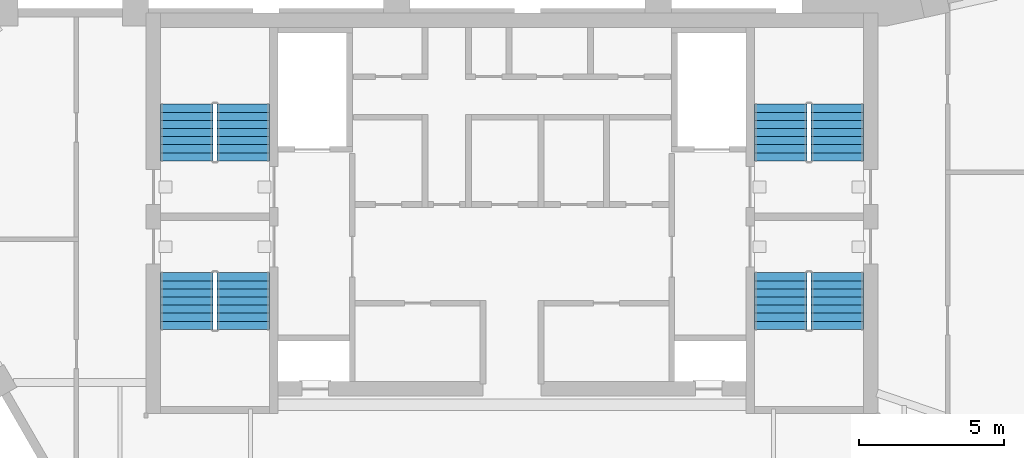
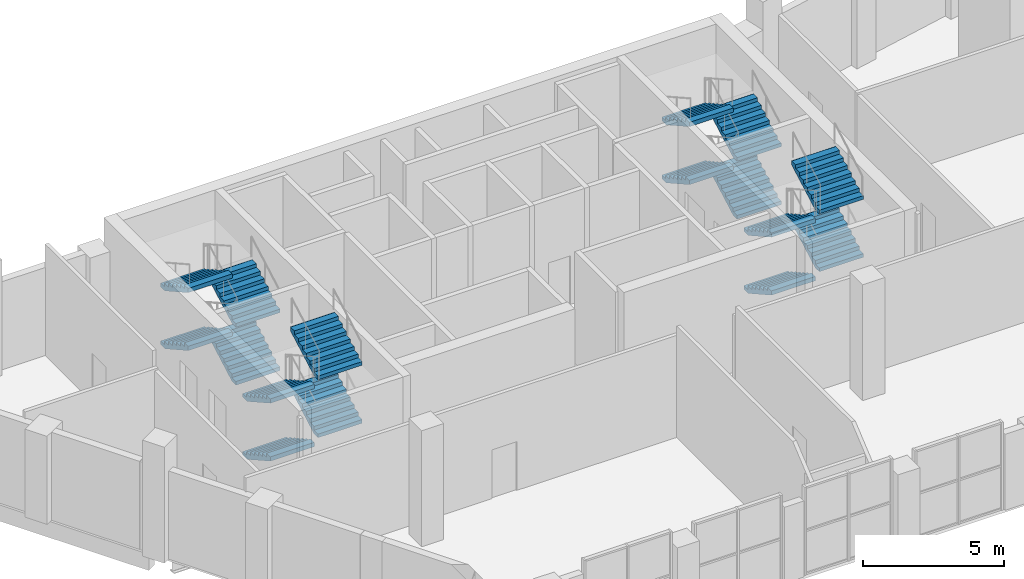
# One storey, part 7 of 9: 16 stair flights, 4 elements without a shape of their own.
"""IFC4 building model written with IfcOpenShell, lengths in metres."""

import ifcopenshell
import ifcopenshell.guid

model = None  # the IFC model being written
_history = None  # IfcOwnerHistory: only IFC2X3 demands one
_inside = {}  # id of a spatial element -> (the spatial element, [elements in it])
_under = {}  # id of a project, library or spatial element -> (it, [spatial elements below it])
_declared = {}  # id of a project -> (the project, [libraries it declares])
_typed = {}  # id of a type object -> (the type object, [elements of that type])
_made_of = {}  # id of a material, layer set ... -> (it, [elements and type objects made of it])


def new_model(schema):
    """Start an empty IFC model of exactly this schema.

    Asked for "IFC4X3", IfcOpenShell would pick the latest addendum, in which some entities
    have other attributes; the version numbers below select the first issue.
    IFC2X3 requires an IfcOwnerHistory on every rooted entity: one is made here for all.
    """
    global model, _history
    if schema == "IFC4X3":
        model = ifcopenshell.file(schema_version=(4, 3, 0, 0))
    else:
        model = ifcopenshell.file(schema=schema)
    _inside.clear()
    _under.clear()
    _declared.clear()
    _typed.clear()
    _made_of.clear()
    _history = None
    if model.schema == "IFC2X3":
        org = make("IfcOrganization", Name="unknown")
        user = make(
            "IfcPersonAndOrganization",
            ThePerson=make("IfcPerson", FamilyName="unknown"),
            TheOrganization=org,
        )
        app = make(
            "IfcApplication",
            ApplicationDeveloper=org,
            Version="unknown",
            ApplicationFullName="unknown",
            ApplicationIdentifier="unknown",
        )
        _history = make(
            "IfcOwnerHistory",
            OwningUser=user,
            OwningApplication=app,
            ChangeAction="ADDED",
            CreationDate=0,
        )
    return model


def make(cls, **values):
    """One entity of the class cls with the attributes given. An attribute that is None is left unset."""
    return model.create_entity(
        cls, **{name: value for name, value in values.items() if value is not None}
    )


def rooted(cls, **values):
    """An entity with a GlobalId (a new one), such as an element, a storey or a relation."""
    return make(cls, GlobalId=ifcopenshell.guid.new(), OwnerHistory=_history, **values)


def si_unit(unit_type, name, prefix=None):
    """IfcSIUnit, for example si_unit("LENGTHUNIT", "METRE", prefix="MILLI")."""
    return make("IfcSIUnit", UnitType=unit_type, Prefix=prefix, Name=name)


def assignment(units):
    """IfcUnitAssignment: the units of a project."""
    return None if units is None else make("IfcUnitAssignment", Units=units)


def point(xyz):
    """IfcCartesianPoint."""
    return None if xyz is None else make("IfcCartesianPoint", Coordinates=xyz)


def direction(xyz):
    """IfcDirection."""
    return None if xyz is None else make("IfcDirection", DirectionRatios=xyz)


def frame(location, z_axis=None, x_axis=None):
    """IfcAxis2Placement3D, a coordinate frame: its origin and axes. An axis left out is left unset."""
    return make(
        "IfcAxis2Placement3D",
        Location=point(location),
        Axis=direction(z_axis),
        RefDirection=direction(x_axis),
    )


def origin():
    """The frame at (0, 0, 0) with its axes left unset."""
    return frame((0.0, 0.0, 0.0))


def place(relative_to, where):
    """IfcLocalPlacement: puts the frame where relative to a parent placement (None: the world)."""
    return make(
        "IfcLocalPlacement", PlacementRelTo=relative_to, RelativePlacement=where
    )


def context(
    kind, dimensions, precision=None, world=None, true_north=None, identifier=None
):
    """IfcGeometricRepresentationContext, for example the 3D "Model" context."""
    return make(
        "IfcGeometricRepresentationContext",
        ContextIdentifier=identifier,
        ContextType=kind,
        CoordinateSpaceDimension=dimensions,
        Precision=precision,
        WorldCoordinateSystem=world,
        TrueNorth=true_north,
    )


def subcontext(parent, identifier, kind, view, scale=None):
    """IfcGeometricRepresentationSubContext, for example "Body" below "Model"."""
    return make(
        "IfcGeometricRepresentationSubContext",
        ContextIdentifier=identifier,
        ContextType=kind,
        ParentContext=parent,
        TargetScale=scale,
        TargetView=view,
    )


def project(units=None, contexts=None):
    """IfcProject with its units and contexts."""
    return rooted(
        "IfcProject",
        Name="project",
        RepresentationContexts=contexts,
        UnitsInContext=assignment(units),
    )


def spatial(cls, under=None, at=None, **own):
    """A site, building, storey or space (cls), placed at a placement, below another one or the project."""
    s = rooted(cls, ObjectPlacement=at, **own)
    if under is not None:
        _under.setdefault(under.id(), (under, []))[1].append(s)
    return s


def faces_of(points, faces, orient=None, outer=None):
    """IfcFace entities. A face is a list of loops; a loop is a list of indices into points, from 0.

    orient and outer hold one flag for each loop. By default every Orientation is true, the
    first loop of a face is its IfcFaceOuterBound and the others are IfcFaceBound.
    """
    made = []
    for i, loops in enumerate(faces):
        bounds = []
        for j, loop in enumerate(loops):
            is_outer = j == 0 if outer is None else outer[i][j]
            bounds.append(
                make(
                    "IfcFaceOuterBound" if is_outer else "IfcFaceBound",
                    Bound=make("IfcPolyLoop", Polygon=[points[k] for k in loop]),
                    Orientation=True if orient is None else orient[i][j],
                )
            )
        made.append(make("IfcFace", Bounds=bounds))
    return made


def faceted_brep(points, faces, orient=None, outer=None, voids=None):
    """IfcFacetedBrep: a solid bounded by flat faces; with voids (closed shells), ...WithVoids."""
    shared = [point(p) for p in points]
    hull = make("IfcClosedShell", CfsFaces=faces_of(shared, faces, orient, outer))
    if voids is None:
        return make("IfcFacetedBrep", Outer=hull)
    return make(
        "IfcFacetedBrepWithVoids",
        Outer=hull,
        Voids=[
            make(cls, CfsFaces=faces_of(shared, fs, o, b)) for cls, fs, o, b in voids
        ],
    )


def shape(context_of_items, identifier, shape_type, items):
    """IfcShapeRepresentation: the items that make up one representation, for example the "Body"."""
    return make(
        "IfcShapeRepresentation",
        ContextOfItems=context_of_items,
        RepresentationIdentifier=identifier,
        RepresentationType=shape_type,
        Items=items,
    )


def source(mapping_origin, context_of_items, identifier, shape_type, items):
    """IfcRepresentationMap: a shape defined once, which mapped items show again and again."""
    return make(
        "IfcRepresentationMap",
        MappingOrigin=mapping_origin,
        MappedRepresentation=shape(context_of_items, identifier, shape_type, items),
    )


def transform(
    local_origin,
    x_axis=None,
    y_axis=None,
    z_axis=None,
    scale=None,
    scale2=None,
    scale3=None,
    uniform=True,
):
    """IfcCartesianTransformationOperator3D, or its non-uniform kind. x_axis, y_axis, z_axis: its Axis1, 2, 3."""
    if uniform:
        return make(
            "IfcCartesianTransformationOperator3D",
            Axis1=direction(x_axis),
            Axis2=direction(y_axis),
            LocalOrigin=point(local_origin),
            Scale=scale,
            Axis3=direction(z_axis),
        )
    return make(
        "IfcCartesianTransformationOperator3DnonUniform",
        Axis1=direction(x_axis),
        Axis2=direction(y_axis),
        LocalOrigin=point(local_origin),
        Scale=scale,
        Axis3=direction(z_axis),
        Scale2=scale2,
        Scale3=scale3,
    )


def mapped(mapping_source, mapping_target):
    """IfcMappedItem: shows the shape of a source again, moved by a transform."""
    return make(
        "IfcMappedItem", MappingSource=mapping_source, MappingTarget=mapping_target
    )


def material(Name=None, Category=None):
    """IfcMaterial."""
    return make("IfcMaterial", Name=Name, Category=Category)


def made_of(thing, what):
    """Note that an element or type object is made of a material, layer set ...; save() writes the relation."""
    if what is not None:
        _made_of.setdefault(what.id(), (what, []))[1].append(thing)
    return thing


def type_object(cls, material=None, **own):
    """A type object (cls), such as IfcWallType, which elements share."""
    return made_of(rooted(cls, **own), material)


def element(
    cls,
    number,
    at=None,
    inside=None,
    cuts=None,
    type_object=None,
    material=None,
    context=None,
    identifier="Body",
    shape_type=None,
    held_by="IfcProductDefinitionShape",
    body=None,
    shapes=None,
    **own,
):
    """One element of the class cls, such as IfcWall. Its Tag is "e" and its number.

    at: its placement. inside: the storey or other place that contains it. cuts: it is an
    opening in that element (IfcRelVoidsElement). A single representation is given by context,
    identifier, shape_type and body (its items); several are given by shapes. held_by: the class
    of the entity that holds the representations. save() writes the other relations.
    """
    e = rooted(cls, Tag="e%d" % number, ObjectPlacement=at, **own)
    if body is not None:
        shapes = [shape(context, identifier, shape_type, body)]
    if shapes is not None:
        e.Representation = make(held_by, Representations=shapes)
    if inside is not None:
        _inside.setdefault(inside.id(), (inside, []))[1].append(e)
    if cuts is not None:
        rooted(
            "IfcRelVoidsElement", RelatingBuildingElement=cuts, RelatedOpeningElement=e
        )
    if type_object is not None:
        _typed.setdefault(type_object.id(), (type_object, []))[1].append(e)
    return made_of(e, material)


def aggregate(whole, parts):
    """IfcRelAggregates: a whole, such as a stair, and the parts it consists of."""
    return rooted("IfcRelAggregates", RelatingObject=whole, RelatedObjects=parts)


def save(model, path):
    """Write the relations noted so far, then the file.

    IfcRelAggregates (storeys below a building ...), IfcRelContainedInSpatialStructure (elements
    in a storey), IfcRelDefinesByType, IfcRelAssociatesMaterial and IfcRelDeclares: one each for
    every whole, place, type object, material and project.
    """
    for whole, parts in _under.values():
        aggregate(whole, parts)
    for where, things in _inside.values():
        rooted(
            "IfcRelContainedInSpatialStructure",
            RelatedElements=things,
            RelatingStructure=where,
        )
    for kind, things in _typed.values():
        rooted("IfcRelDefinesByType", RelatedObjects=things, RelatingType=kind)
    for what, things in _made_of.values():
        rooted("IfcRelAssociatesMaterial", RelatedObjects=things, RelatingMaterial=what)
    for by, libraries in _declared.values():
        rooted("IfcRelDeclares", RelatingContext=by, RelatedDefinitions=libraries)
    model.write(path)


model = new_model("IFC4")

# Units and contexts
model_context = context("Model", 3, precision=1e-05, world=origin(), true_north=direction((0.0, 1.0)))
body_context = subcontext(model_context, "Body", "Model", "MODEL_VIEW")
ifc_project = project(units=[si_unit("LENGTHUNIT", "METRE"), si_unit("AREAUNIT", "SQUARE_METRE"), si_unit("VOLUMEUNIT", "CUBIC_METRE"), si_unit("PLANEANGLEUNIT", "RADIAN"), si_unit("MASSUNIT", "GRAM", prefix="KILO")], contexts=[model_context])

# Site, building, storey
site_placement = place(None, origin())
site = spatial("IfcSite", under=ifc_project, at=site_placement, CompositionType="ELEMENT")
building_placement = place(site_placement, origin())
building = spatial("IfcBuilding", under=site, at=building_placement, Name="Calabash Gate Tower", CompositionType="ELEMENT")
storey_placement = place(building_placement, frame((0.0, 0.0, 325.5)))
storey = spatial("IfcBuildingStorey", under=building, at=storey_placement, Name="L76", CompositionType="ELEMENT", Elevation=325.5)

# Stair, stair flights
ifc_material_1 = material(Name="Concrete C40/50", Category="concrete")
stair_type = type_object("IfcStairType", Name="Exit stair 32 risers of 156.2 mm", PredefinedType="HALF_TURN_STAIR", material=ifc_material_1)
stair_1_placement = place(storey_placement, origin())
stair_1 = element("IfcStair", 1, at=stair_1_placement, inside=storey, type_object=stair_type, Name="L76 Exit stair ST1", PredefinedType="HALF_TURN_STAIR")
ifc_material_2 = material(Name="Concrete C40/50", Category="concrete")
stair_flight_type = type_object("IfcStairFlightType", Name="Exit stair flight SFL", PredefinedType="STRAIGHT", material=ifc_material_2)
shared_shape = source(origin(), body_context, "Body", "Brep", [
    faceted_brep([(-0.0009765625, -0.89990234375, 0.0), (0.306884765625, -0.89990234375, 0.0), (1.9541015625, -0.89990234375, 0.921875), (-0.0009765625, 0.89990234375, 0.0), (1.9541015625, 0.89990234375, 0.921875), (0.306884765625, 0.89990234375, 0.0), (1.9541015625, -0.89990234375, 1.105712890625), (1.952880859375, -0.89990234375, 1.105712890625), (1.952880859375, 0.89990234375, 1.105712890625), (1.9541015625, 0.89990234375, 1.105712890625), (1.952880859375, -0.89990234375, 1.09375), (1.952880859375, 0.89990234375, 1.09375), (1.674072265625, -0.89990234375, 1.09375), (1.674072265625, 0.89990234375, 1.09375), (1.674072265625, -0.89990234375, 0.9375), (1.674072265625, 0.89990234375, 0.9375), (1.39501953125, -0.89990234375, 0.9375), (1.39501953125, 0.89990234375, 0.9375), (1.39501953125, -0.89990234375, 0.78125), (1.39501953125, 0.89990234375, 0.78125), (1.115966796875, -0.89990234375, 0.78125), (1.115966796875, -0.89990234375, 0.625), (1.115966796875, 0.89990234375, 0.625), (1.115966796875, 0.89990234375, 0.78125), (0.8369140625, -0.89990234375, 0.625), (0.8369140625, -0.89990234375, 0.46875), (0.8369140625, 0.89990234375, 0.46875), (0.8369140625, 0.89990234375, 0.625), (0.55810546875, -0.89990234375, 0.46875), (0.55810546875, -0.89990234375, 0.3125), (0.55810546875, 0.89990234375, 0.3125), (0.55810546875, 0.89990234375, 0.46875), (0.279052734375, -0.89990234375, 0.3125), (0.279052734375, -0.89990234375, 0.15625), (0.279052734375, 0.89990234375, 0.15625), (0.279052734375, 0.89990234375, 0.3125), (-0.0009765625, -0.89990234375, 0.15625), (-0.0009765625, 0.89990234375, 0.15625), (0.306884765625, -0.360107421875, 0.0), (1.9541015625, -0.360107421875, 0.921875), (0.306884765625, -0.27001953125, 0.0), (1.9541015625, -0.27001953125, 0.921875), (0.306884765625, -0.179931640625, 0.0), (1.9541015625, -0.179931640625, 0.921875), (0.306884765625, -0.090087890625, 0.0), (1.9541015625, -0.090087890625, 0.921875), (0.306884765625, 0.0, 0.0), (1.9541015625, 0.0, 0.921875), (0.306884765625, 0.090087890625, 0.0), (1.9541015625, 0.090087890625, 0.921875), (0.306884765625, 0.179931640625, 0.0), (1.9541015625, 0.179931640625, 0.921875), (0.306884765625, 0.27001953125, 0.0), (1.9541015625, 0.27001953125, 0.921875), (0.306884765625, 0.360107421875, 0.0), (1.9541015625, 0.360107421875, 0.921875), (1.9541015625, -0.360107421875, 1.105712890625), (1.9541015625, -0.27001953125, 1.105712890625), (1.9541015625, -0.179931640625, 1.105712890625), (1.9541015625, -0.090087890625, 1.105712890625), (1.9541015625, 0.0, 1.105712890625), (1.9541015625, 0.090087890625, 1.105712890625), (1.9541015625, 0.179931640625, 1.105712890625), (1.9541015625, 0.27001953125, 1.105712890625), (1.9541015625, 0.360107421875, 1.105712890625), (1.952880859375, -0.360107421875, 1.105712890625), (1.952880859375, -0.27001953125, 1.105712890625), (1.952880859375, -0.179931640625, 1.105712890625), (1.952880859375, -0.090087890625, 1.105712890625), (1.952880859375, 0.0, 1.105712890625), (1.952880859375, 0.090087890625, 1.105712890625), (1.952880859375, 0.179931640625, 1.105712890625), (1.952880859375, 0.27001953125, 1.105712890625), (1.952880859375, 0.360107421875, 1.105712890625), (1.952880859375, -0.360107421875, 1.09375), (1.952880859375, -0.27001953125, 1.09375), (1.952880859375, -0.179931640625, 1.09375), (1.952880859375, -0.090087890625, 1.09375), (1.952880859375, 0.0, 1.09375), (1.952880859375, 0.090087890625, 1.09375), (1.952880859375, 0.179931640625, 1.09375), (1.952880859375, 0.27001953125, 1.09375), (1.952880859375, 0.360107421875, 1.09375), (1.674072265625, -0.360107421875, 1.09375), (1.674072265625, -0.27001953125, 1.09375), (1.674072265625, -0.179931640625, 1.09375), (1.674072265625, -0.090087890625, 1.09375), (1.674072265625, 0.0, 1.09375), (1.674072265625, 0.090087890625, 1.09375), (1.674072265625, 0.179931640625, 1.09375), (1.674072265625, 0.27001953125, 1.09375), (1.674072265625, 0.360107421875, 1.09375), (1.674072265625, -0.360107421875, 0.9375), (1.674072265625, -0.27001953125, 0.9375), (1.674072265625, -0.179931640625, 0.9375), (1.674072265625, -0.090087890625, 0.9375), (1.674072265625, 0.0, 0.9375), (1.674072265625, 0.090087890625, 0.9375), (1.674072265625, 0.179931640625, 0.9375), (1.674072265625, 0.27001953125, 0.9375), (1.674072265625, 0.360107421875, 0.9375), (1.39501953125, -0.360107421875, 0.9375), (1.39501953125, -0.27001953125, 0.9375), (1.39501953125, -0.179931640625, 0.9375), (1.39501953125, -0.090087890625, 0.9375), (1.39501953125, 0.0, 0.9375), (1.39501953125, 0.090087890625, 0.9375), (1.39501953125, 0.179931640625, 0.9375), (1.39501953125, 0.27001953125, 0.9375), (1.39501953125, 0.360107421875, 0.9375), (1.39501953125, -0.360107421875, 0.78125), (1.39501953125, -0.27001953125, 0.78125), (1.39501953125, -0.179931640625, 0.78125), (1.39501953125, -0.090087890625, 0.78125), (1.39501953125, 0.0, 0.78125), (1.39501953125, 0.090087890625, 0.78125), (1.39501953125, 0.179931640625, 0.78125), (1.39501953125, 0.27001953125, 0.78125), (1.39501953125, 0.360107421875, 0.78125), (1.115966796875, -0.360107421875, 0.78125), (1.115966796875, -0.27001953125, 0.78125), (1.115966796875, -0.179931640625, 0.78125), (1.115966796875, -0.090087890625, 0.78125), (1.115966796875, 0.0, 0.78125), (1.115966796875, 0.090087890625, 0.78125), (1.115966796875, 0.179931640625, 0.78125), (1.115966796875, 0.27001953125, 0.78125), (1.115966796875, 0.360107421875, 0.78125), (1.115966796875, -0.360107421875, 0.625), (1.115966796875, -0.27001953125, 0.625), (1.115966796875, -0.179931640625, 0.625), (1.115966796875, -0.090087890625, 0.625), (1.115966796875, 0.0, 0.625), (1.115966796875, 0.090087890625, 0.625), (1.115966796875, 0.179931640625, 0.625), (1.115966796875, 0.27001953125, 0.625), (1.115966796875, 0.360107421875, 0.625), (0.8369140625, -0.360107421875, 0.625), (0.8369140625, -0.27001953125, 0.625), (0.8369140625, -0.179931640625, 0.625), (0.8369140625, -0.090087890625, 0.625), (0.8369140625, 0.0, 0.625), (0.8369140625, 0.090087890625, 0.625), (0.8369140625, 0.179931640625, 0.625), (0.8369140625, 0.27001953125, 0.625), (0.8369140625, 0.360107421875, 0.625), (0.8369140625, -0.360107421875, 0.46875), (0.8369140625, -0.27001953125, 0.46875), (0.8369140625, -0.179931640625, 0.46875), (0.8369140625, -0.090087890625, 0.46875), (0.8369140625, 0.0, 0.46875), (0.8369140625, 0.090087890625, 0.46875), (0.8369140625, 0.179931640625, 0.46875), (0.8369140625, 0.27001953125, 0.46875), (0.8369140625, 0.360107421875, 0.46875), (0.55810546875, -0.360107421875, 0.46875), (0.55810546875, -0.27001953125, 0.46875), (0.55810546875, -0.179931640625, 0.46875), (0.55810546875, -0.090087890625, 0.46875), (0.55810546875, 0.0, 0.46875), (0.55810546875, 0.090087890625, 0.46875), (0.55810546875, 0.179931640625, 0.46875), (0.55810546875, 0.27001953125, 0.46875), (0.55810546875, 0.360107421875, 0.46875), (0.55810546875, -0.360107421875, 0.3125), (0.55810546875, -0.27001953125, 0.3125), (0.55810546875, -0.179931640625, 0.3125), (0.55810546875, -0.090087890625, 0.3125), (0.55810546875, 0.0, 0.3125), (0.55810546875, 0.090087890625, 0.3125), (0.55810546875, 0.179931640625, 0.3125), (0.55810546875, 0.27001953125, 0.3125), (0.55810546875, 0.360107421875, 0.3125), (0.279052734375, -0.360107421875, 0.3125), (0.279052734375, -0.27001953125, 0.3125), (0.279052734375, -0.179931640625, 0.3125), (0.279052734375, -0.090087890625, 0.3125), (0.279052734375, 0.0, 0.3125), (0.279052734375, 0.090087890625, 0.3125), (0.279052734375, 0.179931640625, 0.3125), (0.279052734375, 0.27001953125, 0.3125), (0.279052734375, 0.360107421875, 0.3125), (0.279052734375, -0.360107421875, 0.15625), (0.279052734375, -0.27001953125, 0.15625), (0.279052734375, -0.179931640625, 0.15625), (0.279052734375, -0.090087890625, 0.15625), (0.279052734375, 0.0, 0.15625), (0.279052734375, 0.090087890625, 0.15625), (0.279052734375, 0.179931640625, 0.15625), (0.279052734375, 0.27001953125, 0.15625), (0.279052734375, 0.360107421875, 0.15625), (-0.0009765625, -0.360107421875, 0.15625), (-0.0009765625, -0.27001953125, 0.15625), (-0.0009765625, -0.179931640625, 0.15625), (-0.0009765625, -0.090087890625, 0.15625), (-0.0009765625, 0.0, 0.15625), (-0.0009765625, 0.090087890625, 0.15625), (-0.0009765625, 0.179931640625, 0.15625), (-0.0009765625, 0.27001953125, 0.15625), (-0.0009765625, 0.360107421875, 0.15625), (-0.0009765625, -0.360107421875, 0.0), (-0.0009765625, -0.27001953125, 0.0), (-0.0009765625, -0.179931640625, 0.0), (-0.0009765625, -0.090087890625, 0.0), (-0.0009765625, 0.0, 0.0), (-0.0009765625, 0.090087890625, 0.0), (-0.0009765625, 0.179931640625, 0.0), (-0.0009765625, 0.27001953125, 0.0), (-0.0009765625, 0.360107421875, 0.0)], [[[0, 1, 2]], [[3, 4, 5]], [[2, 6, 7]], [[4, 8, 9]], [[2, 7, 10]], [[4, 11, 8]], [[2, 10, 12]], [[4, 13, 11]], [[2, 12, 14]], [[4, 15, 13]], [[2, 14, 16]], [[4, 17, 15]], [[2, 16, 18]], [[4, 19, 17]], [[18, 20, 21]], [[19, 22, 23]], [[2, 18, 21]], [[4, 22, 19]], [[21, 24, 25]], [[22, 26, 27]], [[2, 21, 25]], [[4, 26, 22]], [[25, 28, 29]], [[26, 30, 31]], [[2, 25, 29]], [[4, 30, 26]], [[29, 32, 33]], [[30, 34, 35]], [[2, 29, 33]], [[4, 34, 30]], [[0, 2, 33]], [[3, 34, 4]], [[33, 36, 0]], [[34, 3, 37]], [[1, 38, 2]], [[38, 39, 2]], [[38, 40, 39]], [[40, 41, 39]], [[40, 42, 41]], [[42, 43, 41]], [[42, 44, 43]], [[44, 45, 43]], [[44, 46, 45]], [[46, 47, 45]], [[46, 48, 49]], [[46, 49, 47]], [[48, 50, 51]], [[48, 51, 49]], [[50, 52, 53]], [[50, 53, 51]], [[52, 54, 55]], [[52, 55, 53]], [[54, 5, 4]], [[54, 4, 55]], [[2, 39, 6]], [[39, 56, 6]], [[39, 41, 56]], [[41, 57, 56]], [[41, 43, 57]], [[43, 58, 57]], [[43, 45, 58]], [[45, 59, 58]], [[45, 47, 59]], [[47, 60, 59]], [[47, 49, 61]], [[47, 61, 60]], [[49, 51, 62]], [[49, 62, 61]], [[51, 53, 63]], [[51, 63, 62]], [[53, 55, 64]], [[53, 64, 63]], [[55, 4, 9]], [[55, 9, 64]], [[6, 56, 7]], [[56, 65, 7]], [[56, 57, 65]], [[57, 66, 65]], [[57, 58, 66]], [[58, 67, 66]], [[58, 59, 67]], [[59, 68, 67]], [[59, 60, 68]], [[60, 69, 68]], [[60, 61, 70]], [[60, 70, 69]], [[61, 62, 71]], [[61, 71, 70]], [[62, 63, 72]], [[62, 72, 71]], [[63, 64, 73]], [[63, 73, 72]], [[64, 9, 8]], [[64, 8, 73]], [[7, 65, 10]], [[65, 74, 10]], [[65, 66, 74]], [[66, 75, 74]], [[66, 67, 75]], [[67, 76, 75]], [[67, 68, 76]], [[68, 77, 76]], [[68, 69, 77]], [[69, 78, 77]], [[69, 70, 79]], [[69, 79, 78]], [[70, 71, 80]], [[70, 80, 79]], [[71, 72, 81]], [[71, 81, 80]], [[72, 73, 82]], [[72, 82, 81]], [[73, 8, 11]], [[73, 11, 82]], [[10, 74, 12]], [[74, 83, 12]], [[74, 75, 83]], [[75, 84, 83]], [[75, 76, 84]], [[76, 85, 84]], [[76, 77, 85]], [[77, 86, 85]], [[77, 78, 86]], [[78, 87, 86]], [[78, 79, 88]], [[78, 88, 87]], [[79, 80, 89]], [[79, 89, 88]], [[80, 81, 90]], [[80, 90, 89]], [[81, 82, 91]], [[81, 91, 90]], [[82, 11, 13]], [[82, 13, 91]], [[12, 83, 14]], [[83, 92, 14]], [[83, 84, 92]], [[84, 93, 92]], [[84, 85, 93]], [[85, 94, 93]], [[85, 86, 94]], [[86, 95, 94]], [[86, 87, 95]], [[87, 96, 95]], [[87, 88, 97]], [[87, 97, 96]], [[88, 89, 98]], [[88, 98, 97]], [[89, 90, 99]], [[89, 99, 98]], [[90, 91, 100]], [[90, 100, 99]], [[91, 13, 15]], [[91, 15, 100]], [[14, 92, 16]], [[92, 101, 16]], [[92, 93, 101]], [[93, 102, 101]], [[93, 94, 102]], [[94, 103, 102]], [[94, 95, 103]], [[95, 104, 103]], [[95, 96, 104]], [[96, 105, 104]], [[96, 97, 106]], [[96, 106, 105]], [[97, 98, 107]], [[97, 107, 106]], [[98, 99, 108]], [[98, 108, 107]], [[99, 100, 109]], [[99, 109, 108]], [[100, 15, 17]], [[100, 17, 109]], [[16, 101, 18]], [[101, 110, 18]], [[101, 102, 110]], [[102, 111, 110]], [[102, 103, 111]], [[103, 112, 111]], [[103, 104, 112]], [[104, 113, 112]], [[104, 105, 113]], [[105, 114, 113]], [[105, 106, 115]], [[105, 115, 114]], [[106, 107, 116]], [[106, 116, 115]], [[107, 108, 117]], [[107, 117, 116]], [[108, 109, 118]], [[108, 118, 117]], [[109, 17, 19]], [[109, 19, 118]], [[18, 110, 20]], [[110, 119, 20]], [[110, 111, 119]], [[111, 120, 119]], [[111, 112, 120]], [[112, 121, 120]], [[112, 113, 121]], [[113, 122, 121]], [[113, 114, 122]], [[114, 123, 122]], [[114, 115, 124]], [[114, 124, 123]], [[115, 116, 125]], [[115, 125, 124]], [[116, 117, 126]], [[116, 126, 125]], [[117, 118, 127]], [[117, 127, 126]], [[118, 19, 23]], [[118, 23, 127]], [[20, 119, 21]], [[119, 128, 21]], [[119, 120, 128]], [[120, 129, 128]], [[120, 121, 129]], [[121, 130, 129]], [[121, 122, 130]], [[122, 131, 130]], [[122, 123, 131]], [[123, 132, 131]], [[123, 124, 133]], [[123, 133, 132]], [[124, 125, 134]], [[124, 134, 133]], [[125, 126, 135]], [[125, 135, 134]], [[126, 127, 136]], [[126, 136, 135]], [[127, 23, 22]], [[127, 22, 136]], [[21, 128, 24]], [[128, 137, 24]], [[128, 129, 137]], [[129, 138, 137]], [[129, 130, 138]], [[130, 139, 138]], [[130, 131, 139]], [[131, 140, 139]], [[131, 132, 140]], [[132, 141, 140]], [[132, 133, 142]], [[132, 142, 141]], [[133, 134, 143]], [[133, 143, 142]], [[134, 135, 144]], [[134, 144, 143]], [[135, 136, 145]], [[135, 145, 144]], [[136, 22, 27]], [[136, 27, 145]], [[24, 137, 25]], [[137, 146, 25]], [[137, 138, 146]], [[138, 147, 146]], [[138, 139, 147]], [[139, 148, 147]], [[139, 140, 148]], [[140, 149, 148]], [[140, 141, 149]], [[141, 150, 149]], [[141, 142, 151]], [[141, 151, 150]], [[142, 143, 152]], [[142, 152, 151]], [[143, 144, 153]], [[143, 153, 152]], [[144, 145, 154]], [[144, 154, 153]], [[145, 27, 26]], [[145, 26, 154]], [[25, 146, 28]], [[146, 155, 28]], [[146, 147, 155]], [[147, 156, 155]], [[147, 148, 156]], [[148, 157, 156]], [[148, 149, 157]], [[149, 158, 157]], [[149, 150, 158]], [[150, 159, 158]], [[150, 151, 160]], [[150, 160, 159]], [[151, 152, 161]], [[151, 161, 160]], [[152, 153, 162]], [[152, 162, 161]], [[153, 154, 163]], [[153, 163, 162]], [[154, 26, 31]], [[154, 31, 163]], [[28, 155, 29]], [[155, 164, 29]], [[155, 156, 164]], [[156, 165, 164]], [[156, 157, 165]], [[157, 166, 165]], [[157, 158, 166]], [[158, 167, 166]], [[158, 159, 167]], [[159, 168, 167]], [[159, 160, 169]], [[159, 169, 168]], [[160, 161, 170]], [[160, 170, 169]], [[161, 162, 171]], [[161, 171, 170]], [[162, 163, 172]], [[162, 172, 171]], [[163, 31, 30]], [[163, 30, 172]], [[29, 164, 32]], [[164, 173, 32]], [[164, 165, 173]], [[165, 174, 173]], [[165, 166, 174]], [[166, 175, 174]], [[166, 167, 175]], [[167, 176, 175]], [[167, 168, 176]], [[168, 177, 176]], [[168, 169, 178]], [[168, 178, 177]], [[169, 170, 179]], [[169, 179, 178]], [[170, 171, 180]], [[170, 180, 179]], [[171, 172, 181]], [[171, 181, 180]], [[172, 30, 35]], [[172, 35, 181]], [[32, 173, 33]], [[173, 182, 33]], [[173, 174, 182]], [[174, 183, 182]], [[174, 175, 183]], [[175, 184, 183]], [[175, 176, 184]], [[176, 185, 184]], [[176, 177, 185]], [[177, 186, 185]], [[177, 178, 187]], [[177, 187, 186]], [[178, 179, 188]], [[178, 188, 187]], [[179, 180, 189]], [[179, 189, 188]], [[180, 181, 190]], [[180, 190, 189]], [[181, 35, 34]], [[181, 34, 190]], [[33, 182, 36]], [[182, 191, 36]], [[182, 183, 191]], [[183, 192, 191]], [[183, 184, 192]], [[184, 193, 192]], [[184, 185, 193]], [[185, 194, 193]], [[185, 186, 194]], [[186, 195, 194]], [[186, 187, 196]], [[186, 196, 195]], [[187, 188, 197]], [[187, 197, 196]], [[188, 189, 198]], [[188, 198, 197]], [[189, 190, 199]], [[189, 199, 198]], [[190, 34, 37]], [[190, 37, 199]], [[36, 191, 0]], [[191, 200, 0]], [[191, 192, 200]], [[192, 201, 200]], [[192, 193, 201]], [[193, 202, 201]], [[193, 194, 202]], [[194, 203, 202]], [[194, 195, 203]], [[195, 204, 203]], [[195, 196, 205]], [[195, 205, 204]], [[196, 197, 206]], [[196, 206, 205]], [[197, 198, 207]], [[197, 207, 206]], [[198, 199, 208]], [[198, 208, 207]], [[199, 37, 3]], [[199, 3, 208]], [[0, 200, 1]], [[200, 38, 1]], [[200, 201, 38]], [[201, 40, 38]], [[201, 202, 40]], [[202, 42, 40]], [[202, 203, 42]], [[203, 44, 42]], [[203, 204, 44]], [[204, 46, 44]], [[204, 205, 48]], [[204, 48, 46]], [[205, 206, 50]], [[205, 50, 48]], [[206, 207, 52]], [[206, 52, 50]], [[207, 208, 54]], [[207, 54, 52]], [[208, 3, 5]], [[208, 5, 54]]]),
])
stair_flight_1_placement = place(storey_placement, frame((-9.25, 13.95263671875, 0.0), z_axis=(0.0, 0.0, 1.0), x_axis=(0.0, 1.0, 0.0)))
stair_flight_1 = element("IfcStairFlight", 2, at=stair_flight_1_placement, type_object=stair_flight_type, Name="ST1 flight 1", NumberOfRisers=8, NumberOfTreads=7, PredefinedType="STRAIGHT", RiserHeight=0.15625, TreadLength=0.279, context=body_context, shape_type="MappedRepresentation", body=[
    mapped(shared_shape, transform((0.0, 0.0, 0.0), scale=1.0)),
])
stair_flight_2_placement = place(storey_placement, frame((-11.199951171875, 15.905517578125, 1.25), z_axis=(0.0, 0.0, 1.0), x_axis=(0.0, -1.0, 0.0)))
stair_flight_2 = element("IfcStairFlight", 3, at=stair_flight_2_placement, type_object=stair_flight_type, Name="ST1 flight 2", NumberOfRisers=8, NumberOfTreads=7, PredefinedType="STRAIGHT", RiserHeight=0.15625, TreadLength=0.279, context=body_context, shape_type="MappedRepresentation", body=[
    mapped(shared_shape, transform((0.0, 0.0, 0.0), scale=1.0)),
])
stair_flight_3_placement = place(storey_placement, frame((-9.25, 13.95263671875, 2.5), z_axis=(0.0, 0.0, 1.0), x_axis=(0.0, 1.0, 0.0)))
stair_flight_3 = element("IfcStairFlight", 4, at=stair_flight_3_placement, type_object=stair_flight_type, Name="ST1 flight 3", NumberOfRisers=8, NumberOfTreads=7, PredefinedType="STRAIGHT", RiserHeight=0.15625, TreadLength=0.279, context=body_context, shape_type="MappedRepresentation", body=[
    mapped(shared_shape, transform((0.0, 0.0, 0.0), scale=1.0)),
])
stair_flight_4_placement = place(storey_placement, frame((-11.199951171875, 15.905517578125, 3.75), z_axis=(0.0, 0.0, 1.0), x_axis=(0.0, -1.0, 0.0)))
stair_flight_4 = element("IfcStairFlight", 5, at=stair_flight_4_placement, type_object=stair_flight_type, Name="ST1 flight 4", NumberOfRisers=8, NumberOfTreads=7, PredefinedType="STRAIGHT", RiserHeight=0.15625, TreadLength=0.279, context=body_context, shape_type="MappedRepresentation", body=[
    mapped(shared_shape, transform((0.0, 0.0, 0.0), scale=1.0)),
])
aggregate(stair_1, [stair_flight_1, stair_flight_2, stair_flight_3, stair_flight_4])

stair_2_placement = place(storey_placement, origin())
stair_2 = element("IfcStair", 6, at=stair_2_placement, inside=storey, type_object=stair_type, Name="L76 Exit stair ST2", PredefinedType="HALF_TURN_STAIR")
stair_flight_5_placement = place(storey_placement, frame((-11.199951171875, 10.1025390625, 0.0), z_axis=(0.0, 0.0, 1.0), x_axis=(0.0, -1.0, 0.0)))
stair_flight_5 = element("IfcStairFlight", 7, at=stair_flight_5_placement, type_object=stair_flight_type, Name="ST2 flight 1", NumberOfRisers=8, NumberOfTreads=7, PredefinedType="STRAIGHT", RiserHeight=0.15625, TreadLength=0.279, context=body_context, shape_type="MappedRepresentation", body=[
    mapped(shared_shape, transform((0.0, 0.0, 0.0), scale=1.0)),
])
stair_flight_6_placement = place(storey_placement, frame((-9.25, 8.149658203125, 1.25), z_axis=(0.0, 0.0, 1.0), x_axis=(0.0, 1.0, 0.0)))
stair_flight_6 = element("IfcStairFlight", 8, at=stair_flight_6_placement, type_object=stair_flight_type, Name="ST2 flight 2", NumberOfRisers=8, NumberOfTreads=7, PredefinedType="STRAIGHT", RiserHeight=0.15625, TreadLength=0.279, context=body_context, shape_type="MappedRepresentation", body=[
    mapped(shared_shape, transform((0.0, 0.0, 0.0), scale=1.0)),
])
stair_flight_7_placement = place(storey_placement, frame((-11.199951171875, 10.1025390625, 2.5), z_axis=(0.0, 0.0, 1.0), x_axis=(0.0, -1.0, 0.0)))
stair_flight_7 = element("IfcStairFlight", 9, at=stair_flight_7_placement, type_object=stair_flight_type, Name="ST2 flight 3", NumberOfRisers=8, NumberOfTreads=7, PredefinedType="STRAIGHT", RiserHeight=0.15625, TreadLength=0.279, context=body_context, shape_type="MappedRepresentation", body=[
    mapped(shared_shape, transform((0.0, 0.0, 0.0), scale=1.0)),
])
stair_flight_8_placement = place(storey_placement, frame((-9.25, 8.149658203125, 3.75), z_axis=(0.0, 0.0, 1.0), x_axis=(0.0, 1.0, 0.0)))
stair_flight_8 = element("IfcStairFlight", 10, at=stair_flight_8_placement, type_object=stair_flight_type, Name="ST2 flight 4", NumberOfRisers=8, NumberOfTreads=7, PredefinedType="STRAIGHT", RiserHeight=0.15625, TreadLength=0.279, context=body_context, shape_type="MappedRepresentation", body=[
    mapped(shared_shape, transform((0.0, 0.0, 0.0), scale=1.0)),
])
aggregate(stair_2, [stair_flight_5, stair_flight_6, stair_flight_7, stair_flight_8])

stair_3_placement = place(storey_placement, origin())
stair_3 = element("IfcStair", 11, at=stair_3_placement, inside=storey, type_object=stair_type, Name="L76 Exit stair ST3", PredefinedType="HALF_TURN_STAIR")
stair_flight_9_placement = place(storey_placement, frame((11.199951171875, 13.95263671875, 0.0), z_axis=(0.0, 0.0, 1.0), x_axis=(0.0, 1.0, 0.0)))
stair_flight_9 = element("IfcStairFlight", 12, at=stair_flight_9_placement, type_object=stair_flight_type, Name="ST3 flight 1", NumberOfRisers=8, NumberOfTreads=7, PredefinedType="STRAIGHT", RiserHeight=0.15625, TreadLength=0.279, context=body_context, shape_type="MappedRepresentation", body=[
    mapped(shared_shape, transform((0.0, 0.0, 0.0), scale=1.0)),
])
stair_flight_10_placement = place(storey_placement, frame((9.25, 15.905517578125, 1.25), z_axis=(0.0, 0.0, 1.0), x_axis=(0.0, -1.0, 0.0)))
stair_flight_10 = element("IfcStairFlight", 13, at=stair_flight_10_placement, type_object=stair_flight_type, Name="ST3 flight 2", NumberOfRisers=8, NumberOfTreads=7, PredefinedType="STRAIGHT", RiserHeight=0.15625, TreadLength=0.279, context=body_context, shape_type="MappedRepresentation", body=[
    mapped(shared_shape, transform((0.0, 0.0, 0.0), scale=1.0)),
])
stair_flight_11_placement = place(storey_placement, frame((11.199951171875, 13.95263671875, 2.5), z_axis=(0.0, 0.0, 1.0), x_axis=(0.0, 1.0, 0.0)))
stair_flight_11 = element("IfcStairFlight", 14, at=stair_flight_11_placement, type_object=stair_flight_type, Name="ST3 flight 3", NumberOfRisers=8, NumberOfTreads=7, PredefinedType="STRAIGHT", RiserHeight=0.15625, TreadLength=0.279, context=body_context, shape_type="MappedRepresentation", body=[
    mapped(shared_shape, transform((0.0, 0.0, 0.0), scale=1.0)),
])
stair_flight_12_placement = place(storey_placement, frame((9.25, 15.905517578125, 3.75), z_axis=(0.0, 0.0, 1.0), x_axis=(0.0, -1.0, 0.0)))
stair_flight_12 = element("IfcStairFlight", 15, at=stair_flight_12_placement, type_object=stair_flight_type, Name="ST3 flight 4", NumberOfRisers=8, NumberOfTreads=7, PredefinedType="STRAIGHT", RiserHeight=0.15625, TreadLength=0.279, context=body_context, shape_type="MappedRepresentation", body=[
    mapped(shared_shape, transform((0.0, 0.0, 0.0), scale=1.0)),
])
aggregate(stair_3, [stair_flight_9, stair_flight_10, stair_flight_11, stair_flight_12])

stair_4_placement = place(storey_placement, origin())
stair_4 = element("IfcStair", 16, at=stair_4_placement, inside=storey, type_object=stair_type, Name="L76 Exit stair ST4", PredefinedType="HALF_TURN_STAIR")
stair_flight_13_placement = place(storey_placement, frame((9.25, 10.1025390625, 0.0), z_axis=(0.0, 0.0, 1.0), x_axis=(0.0, -1.0, 0.0)))
stair_flight_13 = element("IfcStairFlight", 17, at=stair_flight_13_placement, type_object=stair_flight_type, Name="ST4 flight 1", NumberOfRisers=8, NumberOfTreads=7, PredefinedType="STRAIGHT", RiserHeight=0.15625, TreadLength=0.279, context=body_context, shape_type="MappedRepresentation", body=[
    mapped(shared_shape, transform((0.0, 0.0, 0.0), scale=1.0)),
])
stair_flight_14_placement = place(storey_placement, frame((11.199951171875, 8.149658203125, 1.25), z_axis=(0.0, 0.0, 1.0), x_axis=(0.0, 1.0, 0.0)))
stair_flight_14 = element("IfcStairFlight", 18, at=stair_flight_14_placement, type_object=stair_flight_type, Name="ST4 flight 2", NumberOfRisers=8, NumberOfTreads=7, PredefinedType="STRAIGHT", RiserHeight=0.15625, TreadLength=0.279, context=body_context, shape_type="MappedRepresentation", body=[
    mapped(shared_shape, transform((0.0, 0.0, 0.0), scale=1.0)),
])
stair_flight_15_placement = place(storey_placement, frame((9.25, 10.1025390625, 2.5), z_axis=(0.0, 0.0, 1.0), x_axis=(0.0, -1.0, 0.0)))
stair_flight_15 = element("IfcStairFlight", 19, at=stair_flight_15_placement, type_object=stair_flight_type, Name="ST4 flight 3", NumberOfRisers=8, NumberOfTreads=7, PredefinedType="STRAIGHT", RiserHeight=0.15625, TreadLength=0.279, context=body_context, shape_type="MappedRepresentation", body=[
    mapped(shared_shape, transform((0.0, 0.0, 0.0), scale=1.0)),
])
stair_flight_16_placement = place(storey_placement, frame((11.199951171875, 8.149658203125, 3.75), z_axis=(0.0, 0.0, 1.0), x_axis=(0.0, 1.0, 0.0)))
stair_flight_16 = element("IfcStairFlight", 20, at=stair_flight_16_placement, type_object=stair_flight_type, Name="ST4 flight 4", NumberOfRisers=8, NumberOfTreads=7, PredefinedType="STRAIGHT", RiserHeight=0.15625, TreadLength=0.279, context=body_context, shape_type="MappedRepresentation", body=[
    mapped(shared_shape, transform((0.0, 0.0, 0.0), scale=1.0)),
])
aggregate(stair_4, [stair_flight_13, stair_flight_14, stair_flight_15, stair_flight_16])

save(model, "model.ifc")
